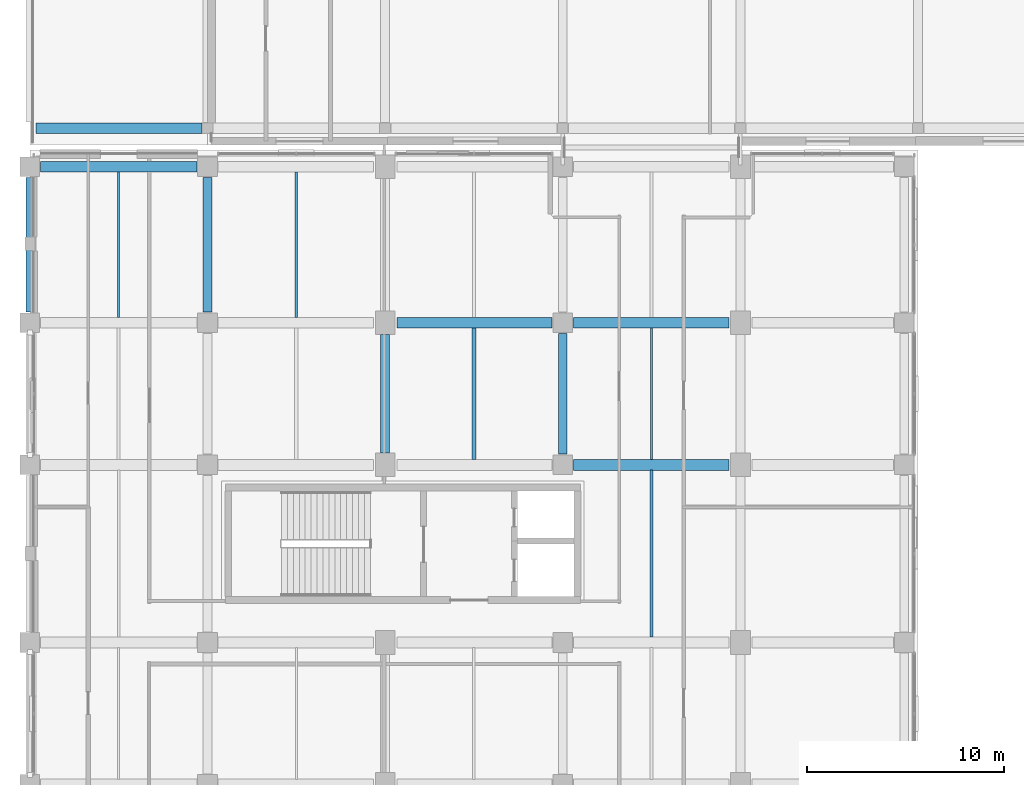
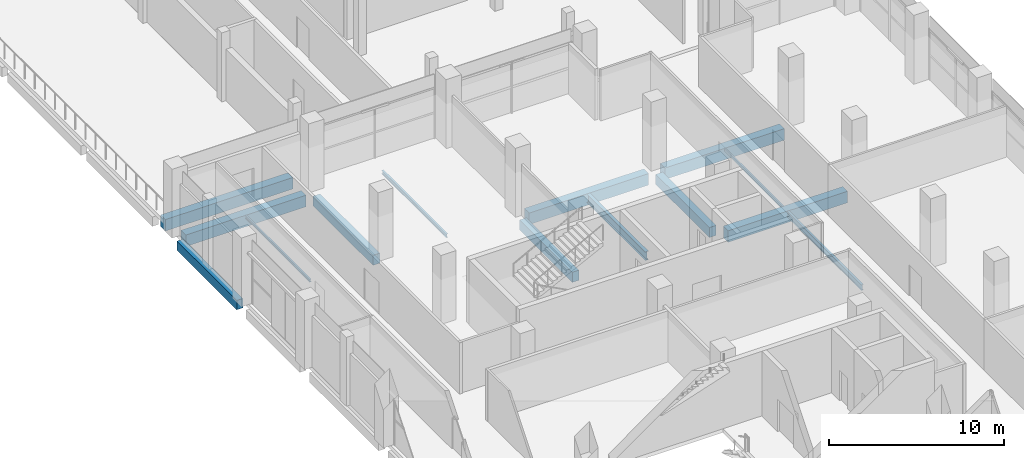
# One storey, part 21 of 111: 14 beams.
"""IFC4 building model written with IfcOpenShell, lengths in metres."""

from ifc_helpers import new_model, si_unit, direction, frame, origin, origin_2d, place, context, subcontext, project, spatial, rectangle, hollow_rectangle, i_section, extrude, material, material_profile, profile_set, type_object, element, save


model = new_model("IFC4")

# Units and contexts
model_context = context("Model", 3, precision=1e-05, world=origin(), true_north=direction((0.0, 1.0)))
body_context = subcontext(model_context, "Body", "Model", "MODEL_VIEW")
ifc_project = project(units=[si_unit("LENGTHUNIT", "METRE"), si_unit("AREAUNIT", "SQUARE_METRE"), si_unit("VOLUMEUNIT", "CUBIC_METRE"), si_unit("PLANEANGLEUNIT", "RADIAN"), si_unit("MASSUNIT", "GRAM", prefix="KILO"), si_unit("THERMODYNAMICTEMPERATUREUNIT", "KELVIN"), si_unit("POWERUNIT", "WATT")], contexts=[model_context])

# Site, building, storey
site_placement = place(None, origin())
site = spatial("IfcSite", under=ifc_project, at=site_placement, CompositionType="ELEMENT")
building_placement = place(site_placement, origin())
building = spatial("IfcBuilding", under=site, at=building_placement, Name="Sindhuravela Promenade Stadium", CompositionType="ELEMENT")
storey_placement = place(building_placement, frame((0.0, 0.0, 9.60009765625)))
storey = spatial("IfcBuildingStorey", under=building, at=storey_placement, Name="L02", CompositionType="ELEMENT", Elevation=9.60009765625)

# Beams
ifc_material_1 = material(Name="Concrete M40", Category="concrete")
ifc_material_profile_1 = material_profile(ifc_material_1, rectangle(XDim=0.39990234375, YDim=0.64990234375, at=origin_2d()), Name="RC 400x650")
ifc_profile_set_1 = profile_set([ifc_material_profile_1], Name="Concrete M40")
beam_type_1 = type_object("IfcBeamType", Name="RC-BM-400x650", PredefinedType="SPANDREL", material=ifc_profile_set_1)
beam_1_placement = place(storey_placement, frame((0.0, 117.5400390625, -0.60498046875), z_axis=(0.0, 1.0, 0.0), x_axis=(-1.0, 0.0, 0.0)))
element("IfcBeam", 1, at=beam_1_placement, inside=storey, type_object=beam_type_1, Name="Primary beam SP01 WEST L02", PredefinedType="SPANDREL", context=body_context, shape_type="SweptSolid", body=[
    extrude(rectangle(XDim=0.39990234375, YDim=0.64990234375, at=origin_2d()), origin(), (0.0, 0.0, 1.0), 6.820068359375),
])
ifc_material_profile_2 = material_profile(ifc_material_1, rectangle(XDim=0.449951171875, YDim=0.699951171875, at=origin_2d()), Name="RC 450x700")
ifc_profile_set_2 = profile_set([ifc_material_profile_2], Name="Concrete M40")
beam_type_2 = type_object("IfcBeamType", Name="RC-BM-450x700", PredefinedType="BEAM", material=ifc_profile_set_2)
beam_2_placement = place(storey_placement, frame((9.0, 117.5400390625, -0.630126953125), z_axis=(0.0, 1.0, 0.0), x_axis=(-1.0, 0.0, 0.0)))
element("IfcBeam", 2, at=beam_2_placement, inside=storey, type_object=beam_type_2, Name="Primary beam GB07 WEST L02", PredefinedType="BEAM", context=body_context, shape_type="SweptSolid", body=[
    extrude(rectangle(XDim=0.449951171875, YDim=0.699951171875, at=origin_2d()), origin(), (0.0, 0.0, 1.0), 6.820068359375),
])
beam_3_placement = place(storey_placement, frame((18.0, 110.389892578125, -0.630126953125), z_axis=(0.0, 1.0, 0.0), x_axis=(-1.0, 0.0, 0.0)))
element("IfcBeam", 3, at=beam_3_placement, inside=storey, type_object=beam_type_2, Name="Primary beam GB07 WEST L02", PredefinedType="BEAM", context=body_context, shape_type="SweptSolid", body=[
    extrude(rectangle(XDim=0.449951171875, YDim=0.699951171875, at=origin_2d()), origin(), (0.0, 0.0, 1.0), 6.02001953125),
])
beam_4_placement = place(storey_placement, frame((27.0, 110.340087890625, -0.630126953125), z_axis=(0.0, 1.0, 0.0), x_axis=(-1.0, 0.0, 0.0)))
element("IfcBeam", 4, at=beam_4_placement, inside=storey, type_object=beam_type_2, Name="Primary beam GB07 WEST L02", PredefinedType="BEAM", context=body_context, shape_type="SweptSolid", body=[
    extrude(rectangle(XDim=0.449951171875, YDim=0.699951171875, at=origin_2d()), origin(), (0.0, 0.0, 1.0), 6.119873046875),
])
ifc_material_profile_3 = material_profile(ifc_material_1, rectangle(XDim=0.550048828125, YDim=0.800048828125, at=origin_2d()), Name="RC 550x800")
ifc_profile_set_3 = profile_set([ifc_material_profile_3], Name="Concrete M40")
beam_type_3 = type_object("IfcBeamType", Name="RC-BM-550x800", PredefinedType="BEAM", material=ifc_profile_set_3)
for number, where, z_axis, x_axis, name in (
    (5, (27.5400390625, 109.800048828125, -0.68017578125), (1.0, 0.0, 0.0), (0.0, 1.0, 0.0), "Primary girder GB05 WEST L02"),
    (6, (18.590087890625, 117.0, -0.68017578125), (1.0, 0.0, 0.0), (0.0, 1.0, 0.0), "Primary girder GB05 WEST L02"),
    (7, (27.5400390625, 117.0, -0.68017578125), (1.0, 0.0, 0.0), (0.0, 1.0, 0.0), "Primary girder GB05 WEST L02"),
):
    element("IfcBeam", number, at=place(storey_placement, frame(where, z_axis=z_axis, x_axis=x_axis)), inside=storey, type_object=beam_type_3, Name=name, PredefinedType="BEAM", context=body_context, shape_type="SweptSolid", body=[
        extrude(rectangle(XDim=0.550048828125, YDim=0.800048828125, at=origin_2d()), origin(), (0.0, 0.0, 1.0), 7.869873046875),
    ])
beam_5_placement = place(storey_placement, frame((0.5400390625, 124.89990234375, -0.68017578125), z_axis=(1.0, 0.0, 0.0), x_axis=(0.0, 1.0, 0.0)))
element("IfcBeam", 8, at=beam_5_placement, inside=storey, type_object=beam_type_3, Name="Primary girder GB05 WEST L02", PredefinedType="BEAM", context=body_context, shape_type="SweptSolid", body=[
    extrude(rectangle(XDim=0.550048828125, YDim=0.800048828125, at=origin_2d()), origin(), (0.0, 0.0, 1.0), 7.919921875),
])
beam_6_placement = place(storey_placement, frame((0.31494140625, 126.85009765625, -0.710205078125), z_axis=(1.0, 0.0, 0.0), x_axis=(0.0, 1.0, 0.0)))
element("IfcBeam", 9, at=beam_6_placement, inside=storey, type_object=beam_type_3, Name="Primary girder GB05 Pavilion NW L02", PredefinedType="BEAM", context=body_context, shape_type="SweptSolid", body=[
    extrude(rectangle(XDim=0.550048828125, YDim=0.800048828125, at=origin_2d()), origin(), (0.0, 0.0, 1.0), 8.39501953125),
])
ifc_material_2 = material(Name="Steel E350 (IS 2062 E350BR)", Category="steel")
ifc_material_profile_4 = material_profile(ifc_material_2, hollow_rectangle(XDim=0.10009765625, YDim=0.199951171875, WallThickness=0.008056640625, at=origin_2d()), Name="RHS 200x100x8")
ifc_profile_set_4 = profile_set([ifc_material_profile_4], Name="Steel E350 (IS 2062 E350BR)")
beam_type_4 = type_object("IfcBeamType", Name="ST-BM-LNT200", PredefinedType="LINTEL", material=ifc_profile_set_4)
beam_7_placement = place(storey_placement, frame((31.5, 110.06494140625, -0.380126953125), z_axis=(0.0, 1.0, 0.0), x_axis=(-1.0, 0.0, 0.0)))
element("IfcBeam", 10, at=beam_7_placement, inside=storey, type_object=beam_type_4, Name="Secondary floor joist LN01 WEST L02", PredefinedType="LINTEL", context=body_context, shape_type="SweptSolid", body=[
    extrude(hollow_rectangle(XDim=0.10009765625, YDim=0.199951171875, WallThickness=0.008056640625, at=origin_2d()), origin(), (0.0, 0.0, 1.0), 6.670166015625),
])
ifc_material_profile_5 = material_profile(ifc_material_2, i_section(OverallWidth=0.10009765625, OverallDepth=0.199951171875, WebThickness=0.005615234375, FlangeThickness=0.0107421875, FilletRadius=0.010986328125, at=origin_2d()), Name="ISMB 200")
ifc_profile_set_5 = profile_set([ifc_material_profile_5], Name="Steel E350 (IS 2062 E350BR)")
beam_type_5 = type_object("IfcBeamType", Name="ST-BM-MB200", PredefinedType="JOIST", material=ifc_profile_set_5)
beam_8_placement = place(storey_placement, frame((4.5, 117.264892578125, -0.380126953125), z_axis=(0.0, 1.0, 0.0), x_axis=(-1.0, 0.0, 0.0)))
element("IfcBeam", 11, at=beam_8_placement, inside=storey, type_object=beam_type_5, Name="Secondary floor joist SB01 WEST L02", PredefinedType="JOIST", context=body_context, shape_type="SweptSolid", body=[
    extrude(i_section(OverallWidth=0.10009765625, OverallDepth=0.199951171875, WebThickness=0.005615234375, FlangeThickness=0.0107421875, FilletRadius=0.010986328125, at=origin_2d()), origin(), (0.0, 0.0, 1.0), 7.3701171875),
])
ifc_material_profile_6 = material_profile(ifc_material_2, i_section(OverallWidth=0.125, OverallDepth=0.25, WebThickness=0.0068359375, FlangeThickness=0.012451171875, FilletRadius=0.012939453125, at=origin_2d()), Name="ISMB 250")
ifc_profile_set_6 = profile_set([ifc_material_profile_6], Name="Steel E350 (IS 2062 E350BR)")
beam_type_6 = type_object("IfcBeamType", Name="ST-BM-MB250", PredefinedType="JOIST", material=ifc_profile_set_6)
beam_9_placement = place(storey_placement, frame((13.5, 117.264892578125, -0.405029296875), z_axis=(0.0, 1.0, 0.0), x_axis=(-1.0, 0.0, 0.0)))
element("IfcBeam", 12, at=beam_9_placement, inside=storey, type_object=beam_type_6, Name="Secondary floor joist SB02 WEST L02", PredefinedType="JOIST", context=body_context, shape_type="SweptSolid", body=[
    extrude(i_section(OverallWidth=0.125, OverallDepth=0.25, WebThickness=0.0068359375, FlangeThickness=0.012451171875, FilletRadius=0.012939453125, at=origin_2d()), origin(), (0.0, 0.0, 1.0), 7.3701171875),
])
ifc_material_profile_7 = material_profile(ifc_material_2, i_section(OverallWidth=0.139892578125, OverallDepth=0.39990234375, WebThickness=0.0087890625, FlangeThickness=0.01611328125, FilletRadius=0.013916015625, at=origin_2d()), Name="ISMB 400")
ifc_profile_set_7 = profile_set([ifc_material_profile_7], Name="Steel E350 (IS 2062 E350BR)")
beam_type_7 = type_object("IfcBeamType", Name="ST-BM-MB400", PredefinedType="BEAM", material=ifc_profile_set_7)
beam_10_placement = place(storey_placement, frame((31.5, 101.06494140625, -0.47998046875), z_axis=(0.0, 1.0, 0.0), x_axis=(-1.0, 0.0, 0.0)))
element("IfcBeam", 13, at=beam_10_placement, inside=storey, type_object=beam_type_7, Name="Secondary floor joist SB05 WEST L02", PredefinedType="BEAM", context=body_context, shape_type="SweptSolid", body=[
    extrude(i_section(OverallWidth=0.139892578125, OverallDepth=0.39990234375, WebThickness=0.0087890625, FlangeThickness=0.01611328125, FilletRadius=0.013916015625, at=origin_2d()), origin(), (0.0, 0.0, 1.0), 8.469970703125),
])
ifc_material_profile_8 = material_profile(ifc_material_2, i_section(OverallWidth=0.2099609375, OverallDepth=0.60009765625, WebThickness=0.011962890625, FlangeThickness=0.020751953125, FilletRadius=0.02001953125, at=origin_2d()), Name="ISMB 600")
ifc_profile_set_8 = profile_set([ifc_material_profile_8], Name="Steel E350 (IS 2062 E350BR)")
beam_type_8 = type_object("IfcBeamType", Name="ST-BM-MB600", PredefinedType="BEAM", material=ifc_profile_set_8)
beam_11_placement = place(storey_placement, frame((22.5, 110.06494140625, -0.580078125), z_axis=(0.0, 1.0, 0.0), x_axis=(-1.0, 0.0, 0.0)))
element("IfcBeam", 14, at=beam_11_placement, inside=storey, type_object=beam_type_8, Name="Secondary floor joist SB09 WEST L02", PredefinedType="BEAM", context=body_context, shape_type="SweptSolid", body=[
    extrude(i_section(OverallWidth=0.2099609375, OverallDepth=0.60009765625, WebThickness=0.011962890625, FlangeThickness=0.020751953125, FilletRadius=0.02001953125, at=origin_2d()), origin(), (0.0, 0.0, 1.0), 6.670166015625),
])

save(model, "model.ifc")
